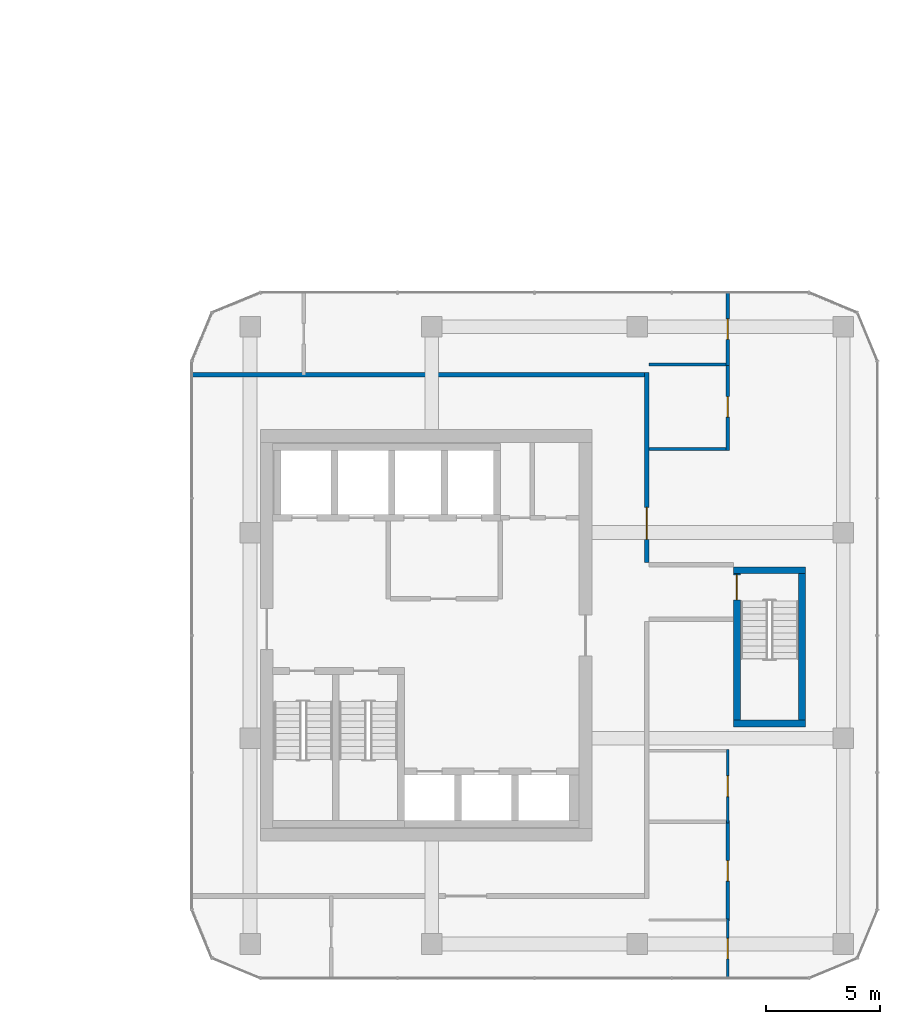
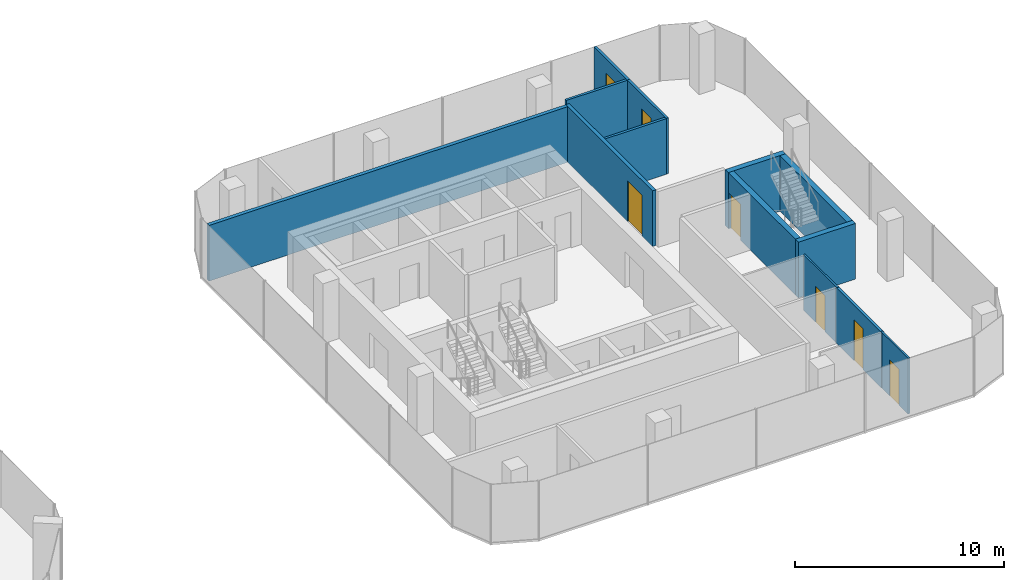
# One storey, part 19 of 23: 13 walls, 7 doors, 7 openings.
"""IFC4 building model written with IfcOpenShell, lengths in metres."""

import ifcopenshell
import ifcopenshell.guid

model = None  # the IFC model being written
_history = None  # IfcOwnerHistory: only IFC2X3 demands one
_inside = {}  # id of a spatial element -> (the spatial element, [elements in it])
_under = {}  # id of a project, library or spatial element -> (it, [spatial elements below it])
_declared = {}  # id of a project -> (the project, [libraries it declares])
_typed = {}  # id of a type object -> (the type object, [elements of that type])
_made_of = {}  # id of a material, layer set ... -> (it, [elements and type objects made of it])


def new_model(schema):
    """Start an empty IFC model of exactly this schema.

    Asked for "IFC4X3", IfcOpenShell would pick the latest addendum, in which some entities
    have other attributes; the version numbers below select the first issue.
    IFC2X3 requires an IfcOwnerHistory on every rooted entity: one is made here for all.
    """
    global model, _history
    if schema == "IFC4X3":
        model = ifcopenshell.file(schema_version=(4, 3, 0, 0))
    else:
        model = ifcopenshell.file(schema=schema)
    _inside.clear()
    _under.clear()
    _declared.clear()
    _typed.clear()
    _made_of.clear()
    _history = None
    if model.schema == "IFC2X3":
        org = make("IfcOrganization", Name="unknown")
        user = make(
            "IfcPersonAndOrganization",
            ThePerson=make("IfcPerson", FamilyName="unknown"),
            TheOrganization=org,
        )
        app = make(
            "IfcApplication",
            ApplicationDeveloper=org,
            Version="unknown",
            ApplicationFullName="unknown",
            ApplicationIdentifier="unknown",
        )
        _history = make(
            "IfcOwnerHistory",
            OwningUser=user,
            OwningApplication=app,
            ChangeAction="ADDED",
            CreationDate=0,
        )
    return model


def make(cls, **values):
    """One entity of the class cls with the attributes given. An attribute that is None is left unset."""
    return model.create_entity(
        cls, **{name: value for name, value in values.items() if value is not None}
    )


def rooted(cls, **values):
    """An entity with a GlobalId (a new one), such as an element, a storey or a relation."""
    return make(cls, GlobalId=ifcopenshell.guid.new(), OwnerHistory=_history, **values)


def si_unit(unit_type, name, prefix=None):
    """IfcSIUnit, for example si_unit("LENGTHUNIT", "METRE", prefix="MILLI")."""
    return make("IfcSIUnit", UnitType=unit_type, Prefix=prefix, Name=name)


def assignment(units):
    """IfcUnitAssignment: the units of a project."""
    return None if units is None else make("IfcUnitAssignment", Units=units)


def point(xyz):
    """IfcCartesianPoint."""
    return None if xyz is None else make("IfcCartesianPoint", Coordinates=xyz)


def direction(xyz):
    """IfcDirection."""
    return None if xyz is None else make("IfcDirection", DirectionRatios=xyz)


def frame(location, z_axis=None, x_axis=None):
    """IfcAxis2Placement3D, a coordinate frame: its origin and axes. An axis left out is left unset."""
    return make(
        "IfcAxis2Placement3D",
        Location=point(location),
        Axis=direction(z_axis),
        RefDirection=direction(x_axis),
    )


def frame_2d(location, x_axis=None):
    """IfcAxis2Placement2D, a coordinate frame in the plane: its origin and x axis."""
    return make(
        "IfcAxis2Placement2D", Location=point(location), RefDirection=direction(x_axis)
    )


def origin():
    """The frame at (0, 0, 0) with its axes left unset."""
    return frame((0.0, 0.0, 0.0))


def place(relative_to, where):
    """IfcLocalPlacement: puts the frame where relative to a parent placement (None: the world)."""
    return make(
        "IfcLocalPlacement", PlacementRelTo=relative_to, RelativePlacement=where
    )


def context(
    kind, dimensions, precision=None, world=None, true_north=None, identifier=None
):
    """IfcGeometricRepresentationContext, for example the 3D "Model" context."""
    return make(
        "IfcGeometricRepresentationContext",
        ContextIdentifier=identifier,
        ContextType=kind,
        CoordinateSpaceDimension=dimensions,
        Precision=precision,
        WorldCoordinateSystem=world,
        TrueNorth=true_north,
    )


def subcontext(parent, identifier, kind, view, scale=None):
    """IfcGeometricRepresentationSubContext, for example "Body" below "Model"."""
    return make(
        "IfcGeometricRepresentationSubContext",
        ContextIdentifier=identifier,
        ContextType=kind,
        ParentContext=parent,
        TargetScale=scale,
        TargetView=view,
    )


def project(units=None, contexts=None):
    """IfcProject with its units and contexts."""
    return rooted(
        "IfcProject",
        Name="project",
        RepresentationContexts=contexts,
        UnitsInContext=assignment(units),
    )


def spatial(cls, under=None, at=None, **own):
    """A site, building, storey or space (cls), placed at a placement, below another one or the project."""
    s = rooted(cls, ObjectPlacement=at, **own)
    if under is not None:
        _under.setdefault(under.id(), (under, []))[1].append(s)
    return s


def profile(cls, at=None, kind="AREA", **sizes):
    """A parametric profile (cls). Its sizes go by their IFC names, for example OverallWidth=200.0."""
    return make(cls, ProfileType=kind, Position=at, **sizes)


def rectangle(**sizes):
    """IfcRectangleProfileDef."""
    return profile("IfcRectangleProfileDef", **sizes)


def extrude(swept, where, along, depth):
    """IfcExtrudedAreaSolid: the profile swept, set in the frame where, extruded along a direction by depth."""
    return make(
        "IfcExtrudedAreaSolid",
        SweptArea=swept,
        Position=where,
        ExtrudedDirection=direction(along),
        Depth=depth,
    )


def shape(context_of_items, identifier, shape_type, items):
    """IfcShapeRepresentation: the items that make up one representation, for example the "Body"."""
    return make(
        "IfcShapeRepresentation",
        ContextOfItems=context_of_items,
        RepresentationIdentifier=identifier,
        RepresentationType=shape_type,
        Items=items,
    )


def material(Name=None, Category=None):
    """IfcMaterial."""
    return make("IfcMaterial", Name=Name, Category=Category)


def layer(
    of_material, thickness, ventilated=None, Name=None, Category=None, Priority=None
):
    """IfcMaterialLayer: one layer of a wall or slab, of a material (None: an air gap)."""
    return make(
        "IfcMaterialLayer",
        Material=of_material,
        LayerThickness=thickness,
        IsVentilated=ventilated,
        Name=Name,
        Category=Category,
        Priority=Priority,
    )


def layer_set(layers, Name=None):
    """IfcMaterialLayerSet."""
    return make("IfcMaterialLayerSet", MaterialLayers=layers, LayerSetName=Name)


def made_of(thing, what):
    """Note that an element or type object is made of a material, layer set ...; save() writes the relation."""
    if what is not None:
        _made_of.setdefault(what.id(), (what, []))[1].append(thing)
    return thing


def type_object(cls, material=None, **own):
    """A type object (cls), such as IfcWallType, which elements share."""
    return made_of(rooted(cls, **own), material)


def element(
    cls,
    number,
    at=None,
    inside=None,
    cuts=None,
    type_object=None,
    material=None,
    context=None,
    identifier="Body",
    shape_type=None,
    held_by="IfcProductDefinitionShape",
    body=None,
    shapes=None,
    **own,
):
    """One element of the class cls, such as IfcWall. Its Tag is "e" and its number.

    at: its placement. inside: the storey or other place that contains it. cuts: it is an
    opening in that element (IfcRelVoidsElement). A single representation is given by context,
    identifier, shape_type and body (its items); several are given by shapes. held_by: the class
    of the entity that holds the representations. save() writes the other relations.
    """
    e = rooted(cls, Tag="e%d" % number, ObjectPlacement=at, **own)
    if body is not None:
        shapes = [shape(context, identifier, shape_type, body)]
    if shapes is not None:
        e.Representation = make(held_by, Representations=shapes)
    if inside is not None:
        _inside.setdefault(inside.id(), (inside, []))[1].append(e)
    if cuts is not None:
        rooted(
            "IfcRelVoidsElement", RelatingBuildingElement=cuts, RelatedOpeningElement=e
        )
    if type_object is not None:
        _typed.setdefault(type_object.id(), (type_object, []))[1].append(e)
    return made_of(e, material)


def fill(opening, filler):
    """IfcRelFillsElement: the door or window that sits in an opening."""
    return rooted(
        "IfcRelFillsElement",
        RelatingOpeningElement=opening,
        RelatedBuildingElement=filler,
    )


def aggregate(whole, parts):
    """IfcRelAggregates: a whole, such as a stair, and the parts it consists of."""
    return rooted("IfcRelAggregates", RelatingObject=whole, RelatedObjects=parts)


def save(model, path):
    """Write the relations noted so far, then the file.

    IfcRelAggregates (storeys below a building ...), IfcRelContainedInSpatialStructure (elements
    in a storey), IfcRelDefinesByType, IfcRelAssociatesMaterial and IfcRelDeclares: one each for
    every whole, place, type object, material and project.
    """
    for whole, parts in _under.values():
        aggregate(whole, parts)
    for where, things in _inside.values():
        rooted(
            "IfcRelContainedInSpatialStructure",
            RelatedElements=things,
            RelatingStructure=where,
        )
    for kind, things in _typed.values():
        rooted("IfcRelDefinesByType", RelatedObjects=things, RelatingType=kind)
    for what, things in _made_of.values():
        rooted("IfcRelAssociatesMaterial", RelatedObjects=things, RelatingMaterial=what)
    for by, libraries in _declared.values():
        rooted("IfcRelDeclares", RelatingContext=by, RelatedDefinitions=libraries)
    model.write(path)


model = new_model("IFC4")

# Units and contexts
model_context = context("Model", 3, precision=1e-05, world=origin(), true_north=direction((0.0, 1.0)))
body_context = subcontext(model_context, "Body", "Model", "MODEL_VIEW")
ifc_project = project(units=[si_unit("LENGTHUNIT", "METRE"), si_unit("AREAUNIT", "SQUARE_METRE"), si_unit("VOLUMEUNIT", "CUBIC_METRE"), si_unit("PLANEANGLEUNIT", "RADIAN"), si_unit("MASSUNIT", "GRAM", prefix="KILO")], contexts=[model_context])

# Site, building, storey
site_placement = place(None, origin())
site = spatial("IfcSite", under=ifc_project, at=site_placement, CompositionType="ELEMENT")
building_placement = place(site_placement, origin())
building = spatial("IfcBuilding", under=site, at=building_placement, Name="Plateau Cross Towers", CompositionType="ELEMENT")
storey_placement = place(building_placement, frame((0.0, 0.0, 37.300048828125)))
storey = spatial("IfcBuildingStorey", under=building, at=storey_placement, Name="L08", CompositionType="ELEMENT", Elevation=37.300048828125)

# Wall, opening, door
ifc_material_1 = material(Name="Concrete C60/75", Category="concrete")
ifc_layer_1 = layer(ifc_material_1, 0.300048828125)
ifc_layer_set_1 = layer_set([ifc_layer_1], Name="Concrete C60/75")
wall_type_1 = type_object("IfcWallType", Name="Core shaft wall 300", PredefinedType="SHEAR", material=ifc_layer_set_1)
wall_1_placement = place(storey_placement, frame((95.85009765625, 5.300048828125, 0.0), z_axis=(0.0, 0.0, 1.0), x_axis=(0.0, 1.0, 0.0)))
wall_1 = element("IfcWall", 1, at=wall_1_placement, inside=storey, type_object=wall_type_1, Name="B-sb3-W@L08", PredefinedType="SHEAR", context=body_context, shape_type="SweptSolid", body=[
    extrude(rectangle(XDim=6.39990234375, YDim=0.300048828125, at=frame_2d((3.199951171875, 0.0))), origin(), (0.0, 0.0, 1.0), 3.25),
])
opening_1_placement = place(wall_1_placement, frame((5.25, 0.0, 0.0)))
opening_1 = element("IfcOpeningElement", 2, at=opening_1_placement, cuts=wall_1, Name="Opening SD", PredefinedType="OPENING", context=body_context, shape_type="SweptSolid", body=[
    extrude(rectangle(XDim=1.10009765625, YDim=2.10009765625, at=frame_2d((0.550048828125, 1.050048828125))), frame((0.0, 0.159912109375, 0.0), z_axis=(0.0, -1.0, 0.0), x_axis=(1.0, 0.0, 0.0)), (0.0, 0.0, 1.0), 0.320068359375),
])
ifc_material_2 = material(Name="Steel, fire-resisting leaf", Category="steel")
door_type_1 = type_object("IfcDoorType", Name="Stair door 1100", OperationType="NOTDEFINED", PredefinedType="DOOR", material=ifc_material_2)
door_1_placement = place(opening_1_placement, origin())
door_1 = element("IfcDoor", 3, at=door_1_placement, inside=storey, type_object=door_type_1, Name="Stair door SD", OperationType="SINGLE_SWING_LEFT", OverallHeight=2.10009765625, OverallWidth=1.10009765625, PredefinedType="DOOR", context=body_context, shape_type="SweptSolid", body=[
    extrude(rectangle(XDim=1.10009765625, YDim=2.10009765625, at=frame_2d((0.550048828125, 1.050048828125))), frame((0.0, 0.02490234375, 0.0), z_axis=(0.0, -1.0, 0.0), x_axis=(1.0, 0.0, 0.0)), (0.0, 0.0, 1.0), 0.050048828125),
])
fill(opening_1, door_1)

# Walls
wall_2_placement = place(storey_placement, frame((98.699951171875, 5.300048828125, 0.0), z_axis=(0.0, 0.0, 1.0), x_axis=(0.0, 1.0, 0.0)))
element("IfcWall", 4, at=wall_2_placement, inside=storey, type_object=wall_type_1, Name="B-sb3-E@L08", PredefinedType="SHEAR", context=body_context, shape_type="SweptSolid", body=[
    extrude(rectangle(XDim=6.39990234375, YDim=0.300048828125, at=frame_2d((3.199951171875, 0.0))), origin(), (0.0, 0.0, 1.0), 3.25),
])
for number, where, z_axis, x_axis, name in (
    (5, (95.699951171875, 5.14990234375, 0.0), (0.0, 0.0, 1.0), (1.0, 0.0, 0.0), "B-sb3-S@L08"),
    (6, (95.699951171875, 11.85009765625, 0.0), (0.0, 0.0, 1.0), (1.0, 0.0, 0.0), "B-sb3-N@L08"),
):
    element("IfcWall", number, at=place(storey_placement, frame(where, z_axis=z_axis, x_axis=x_axis)), inside=storey, type_object=wall_type_1, Name=name, PredefinedType="SHEAR", context=body_context, shape_type="SweptSolid", body=[
        extrude(rectangle(XDim=3.150146484375, YDim=0.300048828125, at=frame_2d((1.5751953125, 0.0))), origin(), (0.0, 0.0, 1.0), 3.25),
    ])
ifc_material_3 = material(Name="Gypsum board on steel studs, two layers each side", Category="steel")
ifc_layer_2 = layer(ifc_material_3, 0.199951171875)
ifc_layer_set_2 = layer_set([ifc_layer_2], Name="Gypsum board on steel studs, two layers each side")
wall_type_2 = type_object("IfcWallType", Name="Corridor wall 200", PredefinedType="PARTITIONING", material=ifc_layer_set_2)
wall_3_placement = place(storey_placement, frame((72.0, 20.39990234375, 0.0), z_axis=(0.0, 0.0, 1.0), x_axis=(1.0, 0.0, 0.0)))
element("IfcWall", 7, at=wall_3_placement, inside=storey, type_object=wall_type_2, Name="Ring wall", PredefinedType="PARTITIONING", context=body_context, shape_type="SweptSolid", body=[
    extrude(rectangle(XDim=20.0, YDim=0.199951171875, at=frame_2d((10.0, 0.0))), origin(), (0.0, 0.0, 1.0), 3.25),
])

# Wall, opening, door
wall_4_placement = place(storey_placement, frame((91.89990234375, 12.199951171875, 0.0), z_axis=(0.0, 0.0, 1.0), x_axis=(0.0, 1.0, 0.0)))
wall_4 = element("IfcWall", 8, at=wall_4_placement, inside=storey, type_object=wall_type_2, Name="Ring wall", PredefinedType="PARTITIONING", context=body_context, shape_type="SweptSolid", body=[
    extrude(rectangle(XDim=8.300048828125, YDim=0.199951171875, at=frame_2d((4.14990234375, 0.0))), origin(), (0.0, 0.0, 1.0), 3.25),
])
opening_2_placement = place(wall_4_placement, frame((1.0, 0.0, 0.0)))
opening_2 = element("IfcOpeningElement", 9, at=opening_2_placement, cuts=wall_4, Name="Opening D-BE14", PredefinedType="OPENING", context=body_context, shape_type="SweptSolid", body=[
    extrude(rectangle(XDim=1.39990234375, YDim=2.39990234375, at=frame_2d((0.699951171875, 1.199951171875))), frame((0.0, 0.10986328125, 0.0), z_axis=(0.0, -1.0, 0.0), x_axis=(1.0, 0.0, 0.0)), (0.0, 0.0, 1.0), 0.219970703125),
])
ifc_material_4 = material(Name="Timber, fire-resisting leaves", Category="wood")
door_type_2 = type_object("IfcDoorType", Name="Tenant entrance double-leaf 1400x2400", OperationType="NOTDEFINED", PredefinedType="DOOR", material=ifc_material_4)
door_2_placement = place(opening_2_placement, origin())
door_2 = element("IfcDoor", 10, at=door_2_placement, inside=storey, type_object=door_type_2, Name="Door D-BE14", OperationType="DOUBLE_DOOR_SINGLE_SWING", OverallHeight=2.39990234375, OverallWidth=1.39990234375, PredefinedType="DOOR", context=body_context, shape_type="SweptSolid", body=[
    extrude(rectangle(XDim=1.39990234375, YDim=2.39990234375, at=frame_2d((0.699951171875, 1.199951171875))), frame((0.0, 0.02490234375, 0.0), z_axis=(0.0, -1.0, 0.0), x_axis=(1.0, 0.0, 0.0)), (0.0, 0.0, 1.0), 0.050048828125),
])
fill(opening_2, door_2)

ifc_material_5 = material(Name="Gypsum board on staggered steel studs, mineral wool, two layers each side", Category="steel")
ifc_layer_3 = layer(ifc_material_5, 0.139892578125)
ifc_layer_set_3 = layer_set([ifc_layer_3], Name="Gypsum board on staggered steel studs, mineral wool, two layers each side")
wall_type_3 = type_object("IfcWallType", Name="Meeting room acoustic partition 140", PredefinedType="PARTITIONING", material=ifc_layer_set_3)
wall_5_placement = place(storey_placement, frame((95.449951171875, -3.5, 0.0), z_axis=(0.0, 0.0, 1.0), x_axis=(0.0, 1.0, 0.0)))
wall_5 = element("IfcWall", 11, at=wall_5_placement, inside=storey, type_object=wall_type_3, Name="Acoustic wall", PredefinedType="PARTITIONING", context=body_context, shape_type="SweptSolid", body=[
    extrude(rectangle(XDim=4.39990234375, YDim=0.139892578125, at=frame_2d((2.199951171875, 0.0))), origin(), (0.0, 0.0, 1.0), 3.25),
])
opening_3_placement = place(wall_5_placement, frame((1.75, 0.0, 0.0)))
opening_3 = element("IfcOpeningElement", 12, at=opening_3_placement, cuts=wall_5, Name="Opening D-BM9", PredefinedType="OPENING", context=body_context, shape_type="SweptSolid", body=[
    extrude(rectangle(XDim=0.89990234375, YDim=2.39990234375, at=frame_2d((0.449951171875, 1.199951171875))), frame((0.0, 0.079833984375, 0.0), z_axis=(0.0, -1.0, 0.0), x_axis=(1.0, 0.0, 0.0)), (0.0, 0.0, 1.0), 0.159912109375),
])
ifc_material_6 = material(Name="Timber leaf, full height", Category="wood")
door_type_3 = type_object("IfcDoorType", Name="Meeting room door 900x2400", OperationType="NOTDEFINED", PredefinedType="DOOR", material=ifc_material_6)
door_3_placement = place(opening_3_placement, origin())
door_3 = element("IfcDoor", 13, at=door_3_placement, inside=storey, type_object=door_type_3, Name="Door D-BM9", OperationType="SINGLE_SWING_LEFT", OverallHeight=2.39990234375, OverallWidth=0.89990234375, PredefinedType="DOOR", context=body_context, shape_type="SweptSolid", body=[
    extrude(rectangle(XDim=0.89990234375, YDim=2.39990234375, at=frame_2d((0.449951171875, 1.199951171875))), frame((0.0, 0.02490234375, 0.0), z_axis=(0.0, -1.0, 0.0), x_axis=(1.0, 0.0, 0.0)), (0.0, 0.0, 1.0), 0.050048828125),
])
fill(opening_3, door_3)

wall_6_placement = place(storey_placement, frame((95.449951171875, 20.800048828125, 0.0), z_axis=(0.0, 0.0, 1.0), x_axis=(0.0, 1.0, 0.0)))
wall_6 = element("IfcWall", 14, at=wall_6_placement, inside=storey, type_object=wall_type_3, Name="Acoustic wall", PredefinedType="PARTITIONING", context=body_context, shape_type="SweptSolid", body=[
    extrude(rectangle(XDim=3.199951171875, YDim=0.139892578125, at=frame_2d((1.60009765625, 0.0))), origin(), (0.0, 0.0, 1.0), 3.25),
])
opening_4_placement = place(wall_6_placement, frame((1.14990234375, 0.0, 0.0)))
opening_4 = element("IfcOpeningElement", 15, at=opening_4_placement, cuts=wall_6, Name="Opening D-BM9", PredefinedType="OPENING", context=body_context, shape_type="SweptSolid", body=[
    extrude(rectangle(XDim=0.89990234375, YDim=2.39990234375, at=frame_2d((0.449951171875, 1.199951171875))), frame((0.0, 0.079833984375, 0.0), z_axis=(0.0, -1.0, 0.0), x_axis=(1.0, 0.0, 0.0)), (0.0, 0.0, 1.0), 0.159912109375),
])
door_4_placement = place(opening_4_placement, origin())
door_4 = element("IfcDoor", 16, at=door_4_placement, inside=storey, type_object=door_type_3, Name="Door D-BM9", OperationType="SINGLE_SWING_LEFT", OverallHeight=2.39990234375, OverallWidth=0.89990234375, PredefinedType="DOOR", context=body_context, shape_type="SweptSolid", body=[
    extrude(rectangle(XDim=0.89990234375, YDim=2.39990234375, at=frame_2d((0.449951171875, 1.199951171875))), frame((0.0, 0.02490234375, 0.0), z_axis=(0.0, -1.0, 0.0), x_axis=(1.0, 0.0, 0.0)), (0.0, 0.0, 1.0), 0.050048828125),
])
fill(opening_4, door_4)

# Wall
wall_7_placement = place(storey_placement, frame((92.0, 20.85009765625, 0.0), z_axis=(0.0, 0.0, 1.0), x_axis=(1.0, 0.0, 0.0)))
element("IfcWall", 17, at=wall_7_placement, inside=storey, type_object=wall_type_3, Name="Acoustic wall", PredefinedType="PARTITIONING", context=body_context, shape_type="SweptSolid", body=[
    extrude(rectangle(XDim=3.3798828125, YDim=0.139892578125, at=frame_2d((1.68994140625, 0.0))), origin(), (0.0, 0.0, 1.0), 3.25),
])

# Wall, opening, door
wall_8_placement = place(storey_placement, frame((95.449951171875, 17.10009765625, 0.0), z_axis=(0.0, 0.0, 1.0), x_axis=(0.0, 1.0, 0.0)))
wall_8 = element("IfcWall", 18, at=wall_8_placement, inside=storey, type_object=wall_type_3, Name="Acoustic wall", PredefinedType="PARTITIONING", context=body_context, shape_type="SweptSolid", body=[
    extrude(rectangle(XDim=3.7998046875, YDim=0.139892578125, at=frame_2d((1.89990234375, 0.0))), origin(), (0.0, 0.0, 1.0), 3.25),
])
opening_5_placement = place(wall_8_placement, frame((1.449951171875, 0.0, 0.0)))
opening_5 = element("IfcOpeningElement", 19, at=opening_5_placement, cuts=wall_8, Name="Opening D-BM9", PredefinedType="OPENING", context=body_context, shape_type="SweptSolid", body=[
    extrude(rectangle(XDim=0.89990234375, YDim=2.39990234375, at=frame_2d((0.449951171875, 1.199951171875))), frame((0.0, 0.079833984375, 0.0), z_axis=(0.0, -1.0, 0.0), x_axis=(1.0, 0.0, 0.0)), (0.0, 0.0, 1.0), 0.159912109375),
])
door_5_placement = place(opening_5_placement, origin())
door_5 = element("IfcDoor", 20, at=door_5_placement, inside=storey, type_object=door_type_3, Name="Door D-BM9", OperationType="SINGLE_SWING_LEFT", OverallHeight=2.39990234375, OverallWidth=0.89990234375, PredefinedType="DOOR", context=body_context, shape_type="SweptSolid", body=[
    extrude(rectangle(XDim=0.89990234375, YDim=2.39990234375, at=frame_2d((0.449951171875, 1.199951171875))), frame((0.0, 0.02490234375, 0.0), z_axis=(0.0, -1.0, 0.0), x_axis=(1.0, 0.0, 0.0)), (0.0, 0.0, 1.0), 0.050048828125),
])
fill(opening_5, door_5)

# Wall
wall_9_placement = place(storey_placement, frame((92.0, 17.14990234375, 0.0), z_axis=(0.0, 0.0, 1.0), x_axis=(1.0, 0.0, 0.0)))
element("IfcWall", 21, at=wall_9_placement, inside=storey, type_object=wall_type_3, Name="Acoustic wall", PredefinedType="PARTITIONING", context=body_context, shape_type="SweptSolid", body=[
    extrude(rectangle(XDim=3.3798828125, YDim=0.139892578125, at=frame_2d((1.68994140625, 0.0))), origin(), (0.0, 0.0, 1.0), 3.25),
])

# Wall, opening, door
ifc_material_7 = material(Name="Gypsum board on steel studs", Category="steel")
ifc_layer_4 = layer(ifc_material_7, 0.10009765625)
ifc_layer_set_4 = layer_set([ifc_layer_4], Name="Gypsum board on steel studs")
wall_type_4 = type_object("IfcWallType", Name="Office partition 100", PredefinedType="PARTITIONING", material=ifc_layer_set_4)
wall_10_placement = place(storey_placement, frame((95.449951171875, -6.0, 0.0), z_axis=(0.0, 0.0, 1.0), x_axis=(0.0, 1.0, 0.0)))
wall_10 = element("IfcWall", 22, at=wall_10_placement, inside=storey, type_object=wall_type_4, Name="Part wall", PredefinedType="PARTITIONING", context=body_context, shape_type="SweptSolid", body=[
    extrude(rectangle(XDim=2.60009765625, YDim=0.10009765625, at=frame_2d((1.300048828125, 0.0))), origin(), (0.0, 0.0, 1.0), 3.25),
])
opening_6_placement = place(wall_10_placement, frame((0.85009765625, 0.0, 0.0)))
opening_6 = element("IfcOpeningElement", 23, at=opening_6_placement, cuts=wall_10, Name="Opening D-BR9", PredefinedType="OPENING", context=body_context, shape_type="SweptSolid", body=[
    extrude(rectangle(XDim=0.89990234375, YDim=2.10009765625, at=frame_2d((0.449951171875, 1.050048828125))), frame((0.0, 0.06005859375, 0.0), z_axis=(0.0, -1.0, 0.0), x_axis=(1.0, 0.0, 0.0)), (0.0, 0.0, 1.0), 0.1201171875),
])
ifc_material_8 = material(Name="Timber leaf", Category="wood")
door_type_4 = type_object("IfcDoorType", Name="Office room door 900", OperationType="NOTDEFINED", PredefinedType="DOOR", material=ifc_material_8)
door_6_placement = place(opening_6_placement, origin())
door_6 = element("IfcDoor", 24, at=door_6_placement, inside=storey, type_object=door_type_4, Name="Door D-BR9", OperationType="SINGLE_SWING_LEFT", OverallHeight=2.10009765625, OverallWidth=0.89990234375, PredefinedType="DOOR", context=body_context, shape_type="SweptSolid", body=[
    extrude(rectangle(XDim=0.89990234375, YDim=2.10009765625, at=frame_2d((0.449951171875, 1.050048828125))), frame((0.0, 0.02490234375, 0.0), z_axis=(0.0, -1.0, 0.0), x_axis=(1.0, 0.0, 0.0)), (0.0, 0.0, 1.0), 0.050048828125),
])
fill(opening_6, door_6)

wall_11_placement = place(storey_placement, frame((95.449951171875, 0.800048828125, 0.0), z_axis=(0.0, 0.0, 1.0), x_axis=(0.0, 1.0, 0.0)))
wall_11 = element("IfcWall", 25, at=wall_11_placement, inside=storey, type_object=wall_type_4, Name="Part wall", PredefinedType="PARTITIONING", context=body_context, shape_type="SweptSolid", body=[
    extrude(rectangle(XDim=3.199951171875, YDim=0.10009765625, at=frame_2d((1.60009765625, 0.0))), origin(), (0.0, 0.0, 1.0), 3.25),
])
opening_7_placement = place(wall_11_placement, frame((1.14990234375, 0.0, 0.0)))
opening_7 = element("IfcOpeningElement", 26, at=opening_7_placement, cuts=wall_11, Name="Opening D-BR9", PredefinedType="OPENING", context=body_context, shape_type="SweptSolid", body=[
    extrude(rectangle(XDim=0.89990234375, YDim=2.10009765625, at=frame_2d((0.449951171875, 1.050048828125))), frame((0.0, 0.06005859375, 0.0), z_axis=(0.0, -1.0, 0.0), x_axis=(1.0, 0.0, 0.0)), (0.0, 0.0, 1.0), 0.1201171875),
])
door_7_placement = place(opening_7_placement, origin())
door_7 = element("IfcDoor", 27, at=door_7_placement, inside=storey, type_object=door_type_4, Name="Door D-BR9", OperationType="SINGLE_SWING_LEFT", OverallHeight=2.10009765625, OverallWidth=0.89990234375, PredefinedType="DOOR", context=body_context, shape_type="SweptSolid", body=[
    extrude(rectangle(XDim=0.89990234375, YDim=2.10009765625, at=frame_2d((0.449951171875, 1.050048828125))), frame((0.0, 0.02490234375, 0.0), z_axis=(0.0, -1.0, 0.0), x_axis=(1.0, 0.0, 0.0)), (0.0, 0.0, 1.0), 0.050048828125),
])
fill(opening_7, door_7)

save(model, "model.ifc")
